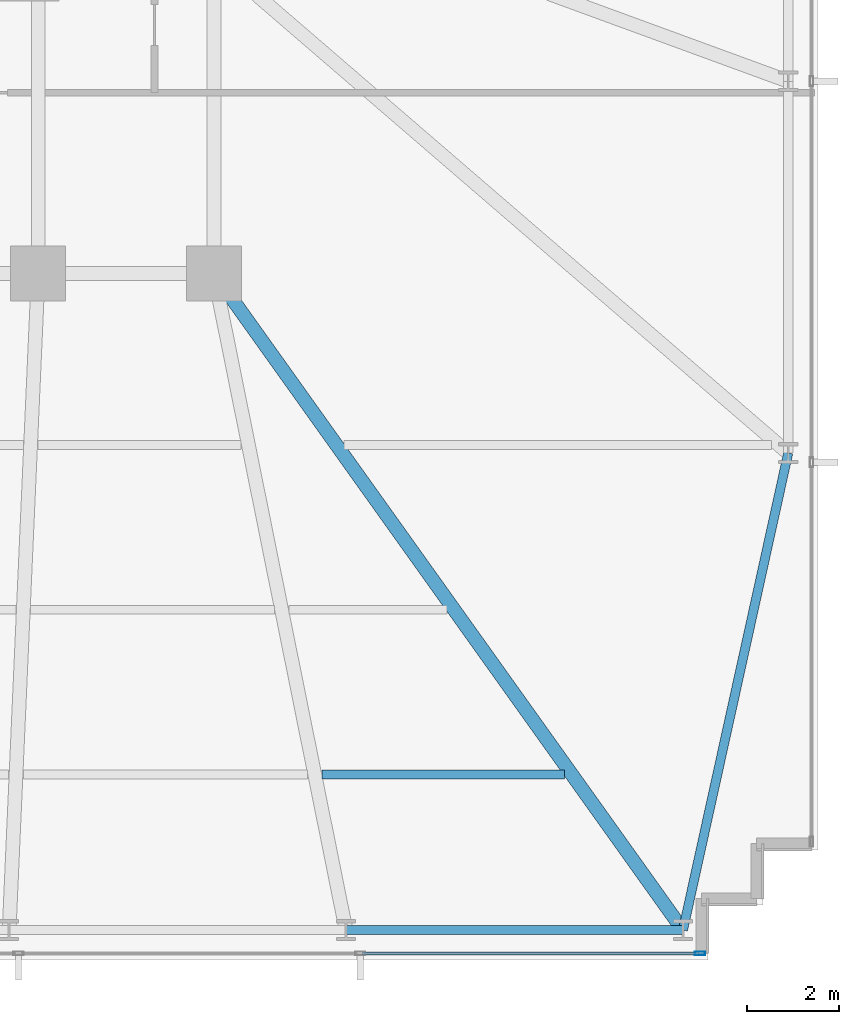
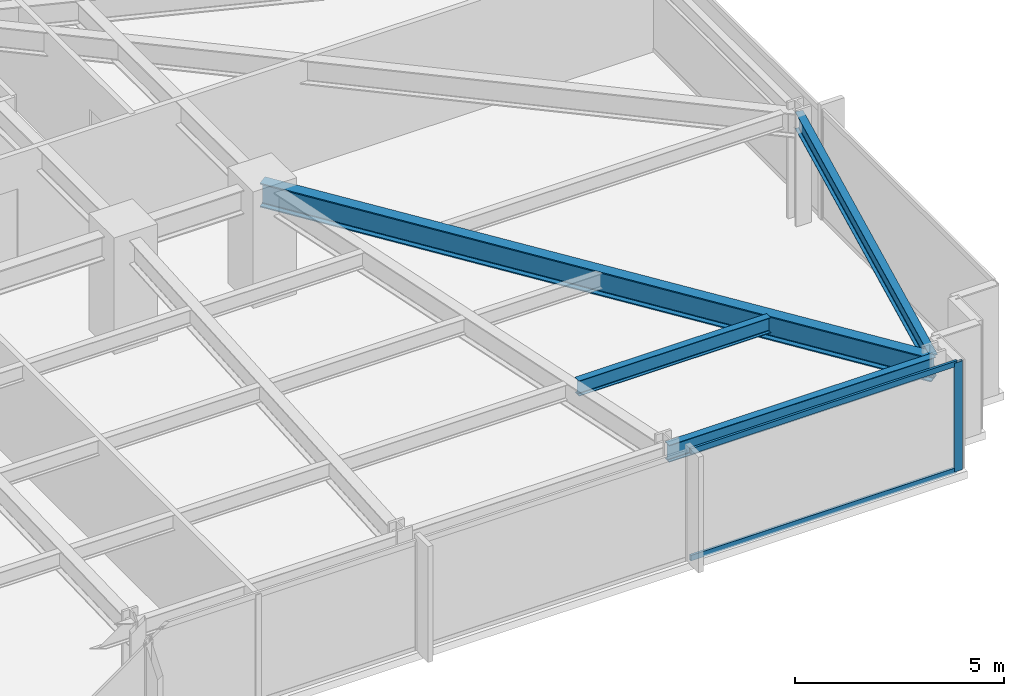
# One storey, part 15 of 32: 4 beams, 3 members, 1 element without a shape of its own.
"""IFC4 building model written with IfcOpenShell, lengths in metres."""

from ifc_helpers import new_model, si_unit, direction, frame, origin, origin_2d, place, context, subcontext, project, spatial, hollow_rectangle, i_section, extrude, material, material_profile, profile_set, type_object, element, aggregate, save


model = new_model("IFC4")

# Units and contexts
model_context = context("Model", 3, precision=1e-05, world=origin(), true_north=direction((0.0, 1.0)))
body_context = subcontext(model_context, "Body", "Model", "MODEL_VIEW")
ifc_project = project(units=[si_unit("LENGTHUNIT", "METRE"), si_unit("AREAUNIT", "SQUARE_METRE"), si_unit("VOLUMEUNIT", "CUBIC_METRE"), si_unit("PLANEANGLEUNIT", "RADIAN"), si_unit("MASSUNIT", "GRAM", prefix="KILO")], contexts=[model_context])

# Site, building, storey
site_placement = place(None, origin())
site = spatial("IfcSite", under=ifc_project, at=site_placement, CompositionType="ELEMENT")
building_placement = place(site_placement, origin())
building = spatial("IfcBuilding", under=site, at=building_placement, Name="Yelkora Congress Tower", CompositionType="ELEMENT")
storey_placement = place(building_placement, frame((0.0, 0.0, 67.800048828125)))
storey = spatial("IfcBuildingStorey", under=building, at=storey_placement, Name="L17", CompositionType="ELEMENT", Elevation=67.800048828125)

# Beams
ifc_material_1 = material(Name="Steel S355J2", Category="steel")
ifc_material_profile_1 = material_profile(ifc_material_1, i_section(OverallWidth=0.300048828125, OverallDepth=0.699951171875, WebThickness=0.01708984375, FlangeThickness=0.031982421875, FilletRadius=0.027099609375, at=origin_2d()), Name="HEB 700")
ifc_profile_set_1 = profile_set([ifc_material_profile_1], Name="Steel S355J2")
beam_type_1 = type_object("IfcBeamType", Name="BM-GIRD-HEB700", PredefinedType="BEAM", material=ifc_profile_set_1)
beam_1_placement = place(storey_placement, frame((67.85009765625, 10.85009765625, 2.829833984375), z_axis=(-0.581242122521, 0.813730664906, 0.0), x_axis=(-0.813730664906, -0.581242122521, 0.0)))
element("IfcBeam", 1, at=beam_1_placement, inside=storey, type_object=beam_type_1, Name="L17 Primary Frame Girder S09", PredefinedType="BEAM", context=body_context, shape_type="SweptSolid", body=[
    extrude(i_section(OverallWidth=0.300048828125, OverallDepth=0.699951171875, WebThickness=0.01708984375, FlangeThickness=0.031982421875, FilletRadius=0.027099609375, at=origin_2d()), origin(), (0.0, 0.0, 1.0), 17.634765625),
])
ifc_material_profile_2 = material_profile(ifc_material_1, i_section(OverallWidth=0.18994140625, OverallDepth=0.449951171875, WebThickness=0.009521484375, FlangeThickness=0.0146484375, FilletRadius=0.02099609375, at=origin_2d()), Name="IPE 450")
ifc_profile_set_2 = profile_set([ifc_material_profile_2], Name="Steel S355J2")
beam_type_2 = type_object("IfcBeamType", Name="BM-JOIST-IPE450", PredefinedType="JOIST", material=ifc_profile_set_2)
beam_2_placement = place(storey_placement, frame((59.96337890625, 14.25, 2.954833984375), z_axis=(1.0, 0.0, 0.0), x_axis=(0.0, 1.0, 0.0)))
element("IfcBeam", 2, at=beam_2_placement, inside=storey, type_object=beam_type_2, Name="L17 Composite Floor Joist 8", PredefinedType="JOIST", context=body_context, shape_type="SweptSolid", body=[
    extrude(i_section(OverallWidth=0.18994140625, OverallDepth=0.449951171875, WebThickness=0.009521484375, FlangeThickness=0.0146484375, FilletRadius=0.02099609375, at=origin_2d()), origin(), (0.0, 0.0, 1.0), 5.298095703125),
])
ifc_material_profile_3 = material_profile(ifc_material_1, i_section(OverallWidth=0.199951171875, OverallDepth=0.5, WebThickness=0.01025390625, FlangeThickness=0.01611328125, FilletRadius=0.02099609375, at=origin_2d()), Name="IPE 500")
ifc_profile_set_3 = profile_set([ifc_material_profile_3], Name="Steel S355J2")
beam_type_3 = type_object("IfcBeamType", Name="BM-SPAN-IPE500", PredefinedType="SPANDREL", material=ifc_profile_set_3)
beam_3_placement = place(storey_placement, frame((60.487548828125, 10.85009765625, 2.929931640625), z_axis=(1.0, 0.0, 0.0), x_axis=(0.0, 1.0, 0.0)))
element("IfcBeam", 3, at=beam_3_placement, inside=storey, type_object=beam_type_3, Name="L17 Perimeter Beam 9", PredefinedType="SPANDREL", context=body_context, shape_type="SweptSolid", body=[
    extrude(i_section(OverallWidth=0.199951171875, OverallDepth=0.5, WebThickness=0.01025390625, FlangeThickness=0.01611328125, FilletRadius=0.02099609375, at=origin_2d()), origin(), (0.0, 0.0, 1.0), 7.362548828125),
])
beam_4_placement = place(storey_placement, frame((67.85009765625, 10.85009765625, 2.929931640625), z_axis=(0.215428898349, 0.97651952861, 0.0), x_axis=(-0.97651952861, 0.215428898349, 0.0)))
element("IfcBeam", 4, at=beam_4_placement, inside=storey, type_object=beam_type_3, Name="L17 Perimeter Beam 10", PredefinedType="SPANDREL", context=body_context, shape_type="SweptSolid", body=[
    extrude(i_section(OverallWidth=0.199951171875, OverallDepth=0.5, WebThickness=0.01025390625, FlangeThickness=0.01611328125, FilletRadius=0.02099609375, at=origin_2d()), origin(), (0.0, 0.0, 1.0), 10.675537109375),
])

# Curtain wall, members
ifc_material_2 = material(Name="Anodised aluminium and insulated glass", Category="aluminium")
curtain_wall_type = type_object("IfcCurtainWallType", Name="CW-SYS-B1", PredefinedType="NOTDEFINED", material=ifc_material_2)
curtain_wall_placement = place(storey_placement, origin())
curtain_wall = element("IfcCurtainWall", 5, at=curtain_wall_placement, inside=storey, type_object=curtain_wall_type, Name="L17 Unitised Curtain Wall 20", PredefinedType="NOTDEFINED")
ifc_material_3 = material(Name="Anodised aluminium 6063-T6", Category="aluminium")
ifc_material_profile_4 = material_profile(ifc_material_3, hollow_rectangle(XDim=0.074951171875, YDim=0.219970703125, WallThickness=0.0048828125, at=origin_2d()), Name="ALU 75x220x5")
ifc_profile_set_4 = profile_set([ifc_material_profile_4], Name="Anodised aluminium 6063-T6")
member_type_1 = type_object("IfcMemberType", Name="MEM-ML-B1", PredefinedType="MULLION", material=ifc_profile_set_4)
member_1_placement = place(storey_placement, frame((68.222412109375, 10.340087890625, 0.0), z_axis=(0.0, 0.0, 1.0), x_axis=(0.0, -1.0, 0.0)))
member_1 = element("IfcMember", 6, at=member_1_placement, type_object=member_type_1, Name="CW-B1 mullion 1", PredefinedType="MULLION", context=body_context, shape_type="SweptSolid", body=[
    extrude(hollow_rectangle(XDim=0.074951171875, YDim=0.219970703125, WallThickness=0.0048828125, at=origin_2d()), origin(), (0.0, 0.0, 1.0), 3.179931640625),
])
ifc_material_profile_5 = material_profile(ifc_material_3, hollow_rectangle(XDim=0.06494140625, YDim=0.159912109375, WallThickness=0.00390625, at=origin_2d()), Name="ALU 65x160x4")
ifc_profile_set_5 = profile_set([ifc_material_profile_5], Name="Anodised aluminium 6063-T6")
member_type_2 = type_object("IfcMemberType", Name="MEM-TR-B1", PredefinedType="USERDEFINED", material=ifc_profile_set_5)
member_2_placement = place(storey_placement, frame((68.18505859375, 10.340087890625, 0.032470703125), z_axis=(-1.0, 0.0, 0.0), x_axis=(0.0, -1.0, 0.0)))
member_2 = element("IfcMember", 7, at=member_2_placement, type_object=member_type_2, Name="CW-B1 transom 1.1", ObjectType="TRANSOM", PredefinedType="USERDEFINED", context=body_context, shape_type="SweptSolid", body=[
    extrude(hollow_rectangle(XDim=0.06494140625, YDim=0.159912109375, WallThickness=0.00390625, at=origin_2d()), origin(), (0.0, 0.0, 1.0), 7.3525390625),
])
member_3_placement = place(storey_placement, frame((68.18505859375, 10.340087890625, 3.1474609375), z_axis=(-1.0, 0.0, 0.0), x_axis=(0.0, -1.0, 0.0)))
member_3 = element("IfcMember", 8, at=member_3_placement, type_object=member_type_2, Name="CW-B1 transom 1.2", ObjectType="TRANSOM", PredefinedType="USERDEFINED", context=body_context, shape_type="SweptSolid", body=[
    extrude(hollow_rectangle(XDim=0.06494140625, YDim=0.159912109375, WallThickness=0.00390625, at=origin_2d()), origin(), (0.0, 0.0, 1.0), 7.3525390625),
])
aggregate(curtain_wall, [member_1, member_2, member_3])

save(model, "model.ifc")
